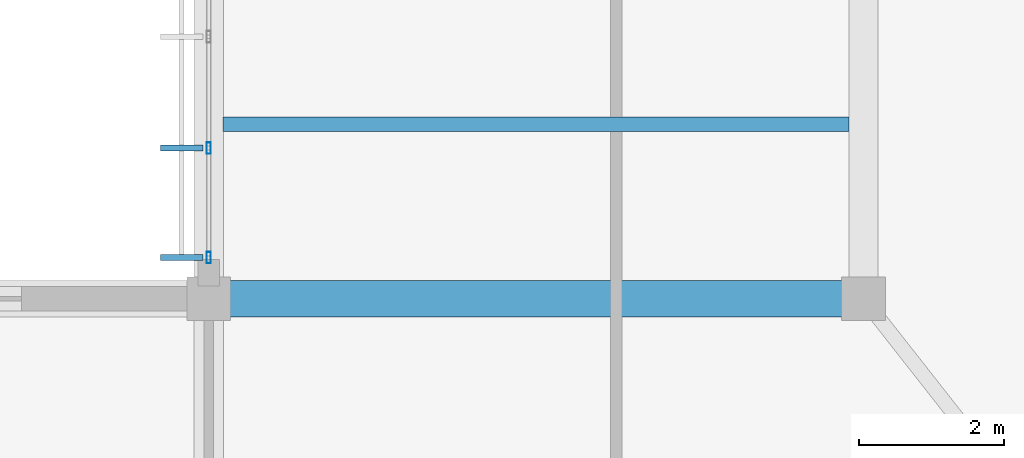
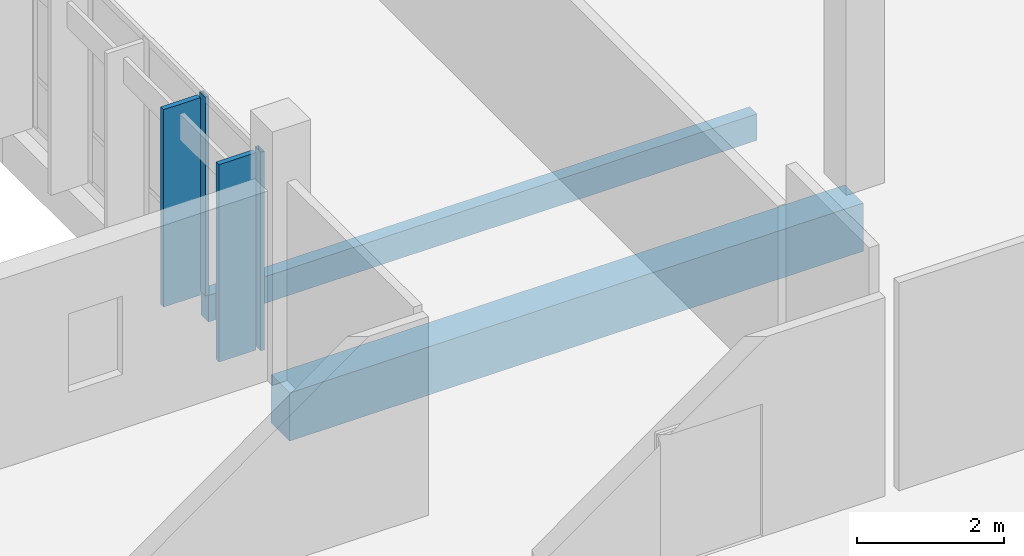
# One storey, part 50 of 107: 4 members, 2 beams, 1 element without a shape of its own.
"""IFC4 building model written with IfcOpenShell, lengths in metres."""

import ifcopenshell
import ifcopenshell.guid

model = None  # the IFC model being written
_history = None  # IfcOwnerHistory: only IFC2X3 demands one
_inside = {}  # id of a spatial element -> (the spatial element, [elements in it])
_under = {}  # id of a project, library or spatial element -> (it, [spatial elements below it])
_declared = {}  # id of a project -> (the project, [libraries it declares])
_typed = {}  # id of a type object -> (the type object, [elements of that type])
_made_of = {}  # id of a material, layer set ... -> (it, [elements and type objects made of it])


def new_model(schema):
    """Start an empty IFC model of exactly this schema.

    Asked for "IFC4X3", IfcOpenShell would pick the latest addendum, in which some entities
    have other attributes; the version numbers below select the first issue.
    IFC2X3 requires an IfcOwnerHistory on every rooted entity: one is made here for all.
    """
    global model, _history
    if schema == "IFC4X3":
        model = ifcopenshell.file(schema_version=(4, 3, 0, 0))
    else:
        model = ifcopenshell.file(schema=schema)
    _inside.clear()
    _under.clear()
    _declared.clear()
    _typed.clear()
    _made_of.clear()
    _history = None
    if model.schema == "IFC2X3":
        org = make("IfcOrganization", Name="unknown")
        user = make(
            "IfcPersonAndOrganization",
            ThePerson=make("IfcPerson", FamilyName="unknown"),
            TheOrganization=org,
        )
        app = make(
            "IfcApplication",
            ApplicationDeveloper=org,
            Version="unknown",
            ApplicationFullName="unknown",
            ApplicationIdentifier="unknown",
        )
        _history = make(
            "IfcOwnerHistory",
            OwningUser=user,
            OwningApplication=app,
            ChangeAction="ADDED",
            CreationDate=0,
        )
    return model


def make(cls, **values):
    """One entity of the class cls with the attributes given. An attribute that is None is left unset."""
    return model.create_entity(
        cls, **{name: value for name, value in values.items() if value is not None}
    )


def rooted(cls, **values):
    """An entity with a GlobalId (a new one), such as an element, a storey or a relation."""
    return make(cls, GlobalId=ifcopenshell.guid.new(), OwnerHistory=_history, **values)


def si_unit(unit_type, name, prefix=None):
    """IfcSIUnit, for example si_unit("LENGTHUNIT", "METRE", prefix="MILLI")."""
    return make("IfcSIUnit", UnitType=unit_type, Prefix=prefix, Name=name)


def assignment(units):
    """IfcUnitAssignment: the units of a project."""
    return None if units is None else make("IfcUnitAssignment", Units=units)


def point(xyz):
    """IfcCartesianPoint."""
    return None if xyz is None else make("IfcCartesianPoint", Coordinates=xyz)


def direction(xyz):
    """IfcDirection."""
    return None if xyz is None else make("IfcDirection", DirectionRatios=xyz)


def frame(location, z_axis=None, x_axis=None):
    """IfcAxis2Placement3D, a coordinate frame: its origin and axes. An axis left out is left unset."""
    return make(
        "IfcAxis2Placement3D",
        Location=point(location),
        Axis=direction(z_axis),
        RefDirection=direction(x_axis),
    )


def frame_2d(location, x_axis=None):
    """IfcAxis2Placement2D, a coordinate frame in the plane: its origin and x axis."""
    return make(
        "IfcAxis2Placement2D", Location=point(location), RefDirection=direction(x_axis)
    )


def origin():
    """The frame at (0, 0, 0) with its axes left unset."""
    return frame((0.0, 0.0, 0.0))


def origin_2d():
    """The frame at (0, 0) in the plane with its x axis left unset."""
    return frame_2d((0.0, 0.0))


def place(relative_to, where):
    """IfcLocalPlacement: puts the frame where relative to a parent placement (None: the world)."""
    return make(
        "IfcLocalPlacement", PlacementRelTo=relative_to, RelativePlacement=where
    )


def context(
    kind, dimensions, precision=None, world=None, true_north=None, identifier=None
):
    """IfcGeometricRepresentationContext, for example the 3D "Model" context."""
    return make(
        "IfcGeometricRepresentationContext",
        ContextIdentifier=identifier,
        ContextType=kind,
        CoordinateSpaceDimension=dimensions,
        Precision=precision,
        WorldCoordinateSystem=world,
        TrueNorth=true_north,
    )


def subcontext(parent, identifier, kind, view, scale=None):
    """IfcGeometricRepresentationSubContext, for example "Body" below "Model"."""
    return make(
        "IfcGeometricRepresentationSubContext",
        ContextIdentifier=identifier,
        ContextType=kind,
        ParentContext=parent,
        TargetScale=scale,
        TargetView=view,
    )


def project(units=None, contexts=None):
    """IfcProject with its units and contexts."""
    return rooted(
        "IfcProject",
        Name="project",
        RepresentationContexts=contexts,
        UnitsInContext=assignment(units),
    )


def spatial(cls, under=None, at=None, **own):
    """A site, building, storey or space (cls), placed at a placement, below another one or the project."""
    s = rooted(cls, ObjectPlacement=at, **own)
    if under is not None:
        _under.setdefault(under.id(), (under, []))[1].append(s)
    return s


def profile(cls, at=None, kind="AREA", **sizes):
    """A parametric profile (cls). Its sizes go by their IFC names, for example OverallWidth=200.0."""
    return make(cls, ProfileType=kind, Position=at, **sizes)


def rectangle(**sizes):
    """IfcRectangleProfileDef."""
    return profile("IfcRectangleProfileDef", **sizes)


def hollow_rectangle(**sizes):
    """IfcRectangleHollowProfileDef."""
    return profile("IfcRectangleHollowProfileDef", **sizes)


def extrude(swept, where, along, depth):
    """IfcExtrudedAreaSolid: the profile swept, set in the frame where, extruded along a direction by depth."""
    return make(
        "IfcExtrudedAreaSolid",
        SweptArea=swept,
        Position=where,
        ExtrudedDirection=direction(along),
        Depth=depth,
    )


def shape(context_of_items, identifier, shape_type, items):
    """IfcShapeRepresentation: the items that make up one representation, for example the "Body"."""
    return make(
        "IfcShapeRepresentation",
        ContextOfItems=context_of_items,
        RepresentationIdentifier=identifier,
        RepresentationType=shape_type,
        Items=items,
    )


def material(Name=None, Category=None):
    """IfcMaterial."""
    return make("IfcMaterial", Name=Name, Category=Category)


def material_profile(
    of_material, cross_section, Name=None, Category=None, Priority=None
):
    """IfcMaterialProfile: a cross section and its material."""
    return make(
        "IfcMaterialProfile",
        Name=Name,
        Material=of_material,
        Profile=cross_section,
        Priority=Priority,
        Category=Category,
    )


def profile_set(profiles, Name=None, composite=None):
    """IfcMaterialProfileSet."""
    return make(
        "IfcMaterialProfileSet",
        Name=Name,
        MaterialProfiles=profiles,
        CompositeProfile=composite,
    )


def made_of(thing, what):
    """Note that an element or type object is made of a material, layer set ...; save() writes the relation."""
    if what is not None:
        _made_of.setdefault(what.id(), (what, []))[1].append(thing)
    return thing


def type_object(cls, material=None, **own):
    """A type object (cls), such as IfcWallType, which elements share."""
    return made_of(rooted(cls, **own), material)


def element(
    cls,
    number,
    at=None,
    inside=None,
    cuts=None,
    type_object=None,
    material=None,
    context=None,
    identifier="Body",
    shape_type=None,
    held_by="IfcProductDefinitionShape",
    body=None,
    shapes=None,
    **own,
):
    """One element of the class cls, such as IfcWall. Its Tag is "e" and its number.

    at: its placement. inside: the storey or other place that contains it. cuts: it is an
    opening in that element (IfcRelVoidsElement). A single representation is given by context,
    identifier, shape_type and body (its items); several are given by shapes. held_by: the class
    of the entity that holds the representations. save() writes the other relations.
    """
    e = rooted(cls, Tag="e%d" % number, ObjectPlacement=at, **own)
    if body is not None:
        shapes = [shape(context, identifier, shape_type, body)]
    if shapes is not None:
        e.Representation = make(held_by, Representations=shapes)
    if inside is not None:
        _inside.setdefault(inside.id(), (inside, []))[1].append(e)
    if cuts is not None:
        rooted(
            "IfcRelVoidsElement", RelatingBuildingElement=cuts, RelatedOpeningElement=e
        )
    if type_object is not None:
        _typed.setdefault(type_object.id(), (type_object, []))[1].append(e)
    return made_of(e, material)


def aggregate(whole, parts):
    """IfcRelAggregates: a whole, such as a stair, and the parts it consists of."""
    return rooted("IfcRelAggregates", RelatingObject=whole, RelatedObjects=parts)


def save(model, path):
    """Write the relations noted so far, then the file.

    IfcRelAggregates (storeys below a building ...), IfcRelContainedInSpatialStructure (elements
    in a storey), IfcRelDefinesByType, IfcRelAssociatesMaterial and IfcRelDeclares: one each for
    every whole, place, type object, material and project.
    """
    for whole, parts in _under.values():
        aggregate(whole, parts)
    for where, things in _inside.values():
        rooted(
            "IfcRelContainedInSpatialStructure",
            RelatedElements=things,
            RelatingStructure=where,
        )
    for kind, things in _typed.values():
        rooted("IfcRelDefinesByType", RelatedObjects=things, RelatingType=kind)
    for what, things in _made_of.values():
        rooted("IfcRelAssociatesMaterial", RelatedObjects=things, RelatingMaterial=what)
    for by, libraries in _declared.values():
        rooted("IfcRelDeclares", RelatingContext=by, RelatedDefinitions=libraries)
    model.write(path)


model = new_model("IFC4")

# Units and contexts
model_context = context("Model", 3, precision=1e-05, world=origin(), true_north=direction((0.0, 1.0)))
body_context = subcontext(model_context, "Body", "Model", "MODEL_VIEW")
ifc_project = project(units=[si_unit("LENGTHUNIT", "METRE"), si_unit("AREAUNIT", "SQUARE_METRE"), si_unit("VOLUMEUNIT", "CUBIC_METRE"), si_unit("PLANEANGLEUNIT", "RADIAN"), si_unit("MASSUNIT", "GRAM", prefix="KILO")], contexts=[model_context])

# Site, building, storey
site_placement = place(None, origin())
site = spatial("IfcSite", under=ifc_project, at=site_placement, CompositionType="ELEMENT")
building_placement = place(site_placement, origin())
building = spatial("IfcBuilding", under=site, at=building_placement, Name="Chiffa Square Polytechnic", CompositionType="ELEMENT")
storey_placement = place(building_placement, frame((0.0, 0.0, 13.800048828125)))
storey = spatial("IfcBuildingStorey", under=building, at=storey_placement, Name="L03", CompositionType="ELEMENT", Elevation=13.800048828125)

# Beam
ifc_material_1 = material(Name="Concrete C40/50", Category="concrete")
ifc_material_profile_1 = material_profile(ifc_material_1, rectangle(XDim=0.5, YDim=0.800048828125, at=origin_2d()), Name="RC 500x800")
ifc_profile_set_1 = profile_set([ifc_material_profile_1], Name="Concrete C40/50")
beam_type_1 = type_object("IfcBeamType", Name="BM-RC-500X800", PredefinedType="BEAM", material=ifc_profile_set_1)
beam_1_placement = place(storey_placement, frame((148.199951171875, 28.800048828125, -0.66015625), z_axis=(1.0, 0.0, 0.0), x_axis=(0.0, 1.0, 0.0)))
element("IfcBeam", 1, at=beam_1_placement, inside=storey, type_object=beam_type_1, Name="Primary floor girder BM-V1-L03-X-1482-0288", PredefinedType="BEAM", context=body_context, shape_type="SweptSolid", body=[
    extrude(rectangle(XDim=0.5, YDim=0.800048828125, at=origin_2d()), origin(), (0.0, 0.0, 1.0), 9.0),
])

# Curtain wall, members
ifc_material_2 = material(Name="Aluminium EN AW-6060 T66 and glulam shading", Category="wood")
curtain_wall_type = type_object("IfcCurtainWallType", Name="CW-VERT-480X380", PredefinedType="USERDEFINED", material=ifc_material_2)
curtain_wall_placement = place(storey_placement, origin())
curtain_wall = element("IfcCurtainWall", 2, at=curtain_wall_placement, inside=storey, type_object=curtain_wall_type, Name="Curtain wall CW-V1-L03-134", ObjectType="CURTAIN WALL", PredefinedType="USERDEFINED")
ifc_material_3 = material(Name="Aluminium EN AW-6060 T66", Category="aluminium")
ifc_material_profile_2 = material_profile(ifc_material_3, hollow_rectangle(XDim=0.06005859375, YDim=0.159912109375, WallThickness=0.00390625, at=origin_2d()), Name="ALU 60x160x4")
ifc_profile_set_2 = profile_set([ifc_material_profile_2], Name="Aluminium EN AW-6060 T66")
member_type_1 = type_object("IfcMemberType", Name="CWM-ALU-65X150", PredefinedType="MULLION", material=ifc_profile_set_2)
member_1_placement = place(storey_placement, frame((148.199951171875, 30.8701171875, 0.0), z_axis=(0.0, 0.0, 1.0), x_axis=(1.0, 0.0, 0.0)))
member_1 = element("IfcMember", 3, at=member_1_placement, type_object=member_type_1, Name="Curtain wall mullion CW-V1-L03-134-M03", PredefinedType="MULLION", context=body_context, shape_type="SweptSolid", body=[
    extrude(hollow_rectangle(XDim=0.06005859375, YDim=0.159912109375, WallThickness=0.00390625, at=origin_2d()), origin(), (0.0, 0.0, 1.0), 3.294921875),
])
member_2_placement = place(storey_placement, frame((148.199951171875, 29.364990234375, 0.0), z_axis=(0.0, 0.0, 1.0), x_axis=(1.0, 0.0, 0.0)))
member_2 = element("IfcMember", 4, at=member_2_placement, type_object=member_type_1, Name="Curtain wall mullion CW-V1-L03-134-M04", PredefinedType="MULLION", context=body_context, shape_type="SweptSolid", body=[
    extrude(hollow_rectangle(XDim=0.06005859375, YDim=0.159912109375, WallThickness=0.00390625, at=origin_2d()), origin(), (0.0, 0.0, 1.0), 3.294921875),
])
ifc_material_4 = material(Name="Glulam GL28h", Category="wood")
ifc_material_profile_3 = material_profile(ifc_material_4, rectangle(XDim=0.080078125, YDim=0.580078125, at=origin_2d()), Name="GL28h 80x580")
ifc_profile_set_3 = profile_set([ifc_material_profile_3], Name="Glulam GL28h")
member_type_2 = type_object("IfcMemberType", Name="CWM-GL-80X580", PredefinedType="MULLION", material=ifc_profile_set_3)
member_3_placement = place(storey_placement, frame((147.827880859375, 30.8701171875, 0.010009765625), z_axis=(0.0, 0.0, 1.0), x_axis=(0.0, -1.0, 0.0)))
member_3 = element("IfcMember", 5, at=member_3_placement, type_object=member_type_2, Name="Exterior glulam solar fin CW-V1-L03-134-FN03", PredefinedType="MULLION", context=body_context, shape_type="SweptSolid", body=[
    extrude(rectangle(XDim=0.080078125, YDim=0.580078125, at=origin_2d()), origin(), (0.0, 0.0, 1.0), 3.27490234375),
])
member_4_placement = place(storey_placement, frame((147.827880859375, 29.364990234375, 0.010009765625), z_axis=(0.0, 0.0, 1.0), x_axis=(0.0, -1.0, 0.0)))
member_4 = element("IfcMember", 6, at=member_4_placement, type_object=member_type_2, Name="Exterior glulam solar fin CW-V1-L03-134-FN04", PredefinedType="MULLION", context=body_context, shape_type="SweptSolid", body=[
    extrude(rectangle(XDim=0.080078125, YDim=0.580078125, at=origin_2d()), origin(), (0.0, 0.0, 1.0), 3.27490234375),
])
aggregate(curtain_wall, [member_1, member_3, member_2, member_4])

# Beam
ifc_material_profile_4 = material_profile(ifc_material_4, rectangle(XDim=0.199951171875, YDim=0.43994140625, at=origin_2d()), Name="GL28h 200x440")
ifc_profile_set_4 = profile_set([ifc_material_profile_4], Name="Glulam GL28h")
beam_type_2 = type_object("IfcBeamType", Name="JST-GL-200X440", PredefinedType="JOIST", material=ifc_profile_set_4)
beam_2_placement = place(storey_placement, frame((148.39794921875, 31.199951171875, -0.47998046875), z_axis=(1.0, 0.0, 0.0), x_axis=(0.0, 1.0, 0.0)))
element("IfcBeam", 7, at=beam_2_placement, inside=storey, type_object=beam_type_2, Name="Secondary floor joist JST-V1-L03-1482-0312", PredefinedType="JOIST", context=body_context, shape_type="SweptSolid", body=[
    extrude(rectangle(XDim=0.199951171875, YDim=0.43994140625, at=origin_2d()), origin(), (0.0, 0.0, 1.0), 8.60400390625),
])

save(model, "model.ifc")
